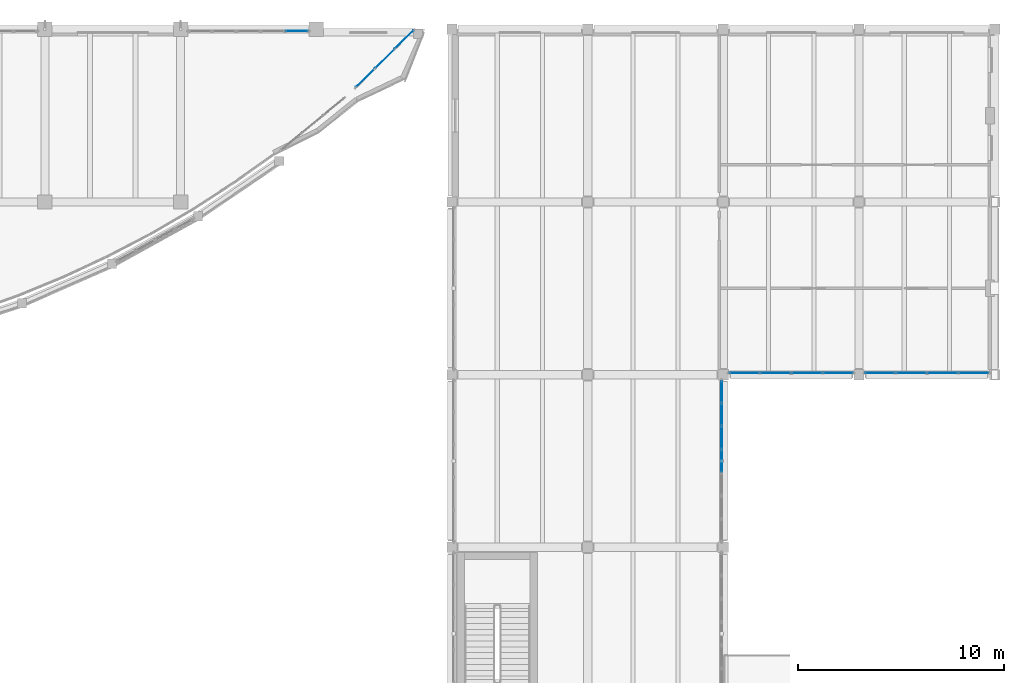
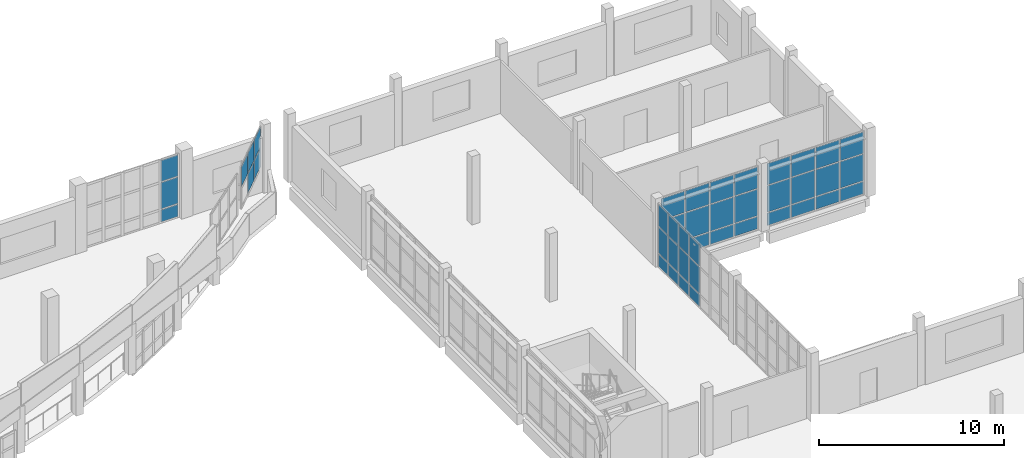
# One storey, part 47 of 83: 44 plates, 5 elements without a shape of their own.
"""IFC4 building model written with IfcOpenShell, lengths in metres."""

from ifc_helpers import new_model, si_unit, direction, frame, origin, origin_2d, place, context, subcontext, project, spatial, rectangle, extrude, material, layer, layer_set, type_object, element, aggregate, save


model = new_model("IFC4")

# Units and contexts
model_context = context("Model", 3, precision=1e-05, world=origin(), true_north=direction((0.0, 1.0)))
body_context = subcontext(model_context, "Body", "Model", "MODEL_VIEW")
ifc_project = project(units=[si_unit("LENGTHUNIT", "METRE"), si_unit("AREAUNIT", "SQUARE_METRE"), si_unit("VOLUMEUNIT", "CUBIC_METRE"), si_unit("PLANEANGLEUNIT", "RADIAN"), si_unit("MASSUNIT", "GRAM", prefix="KILO")], contexts=[model_context])

# Site, building, storey
site_placement = place(None, origin())
site = spatial("IfcSite", under=ifc_project, at=site_placement, CompositionType="ELEMENT")
building_placement = place(site_placement, origin())
building = spatial("IfcBuilding", under=site, at=building_placement, Name="Qaldarim Faculty of Natural and Applied Sciences", CompositionType="ELEMENT")
storey_placement = place(building_placement, frame((0.0, 0.0, 5.39990234375)))
storey = spatial("IfcBuildingStorey", under=building, at=storey_placement, Name="L01", CompositionType="ELEMENT", Elevation=5.39990234375)

# Curtain wall, plates
ifc_material_1 = material(Name="Anodised aluminium AW-6063", Category="aluminium")
curtain_wall_type_1 = type_object("IfcCurtainWallType", Name="CurtainWallSystem-M1200", PredefinedType="USERDEFINED", material=ifc_material_1)
curtain_wall_1_placement = place(storey_placement, origin())
curtain_wall_1 = element("IfcCurtainWall", 1, at=curtain_wall_1_placement, inside=storey, type_object=curtain_wall_type_1, Name="Curtain wall CW-L01-N-X22Y14", ObjectType="STICK CURTAIN WALL", PredefinedType="USERDEFINED")
ifc_material_2 = material(Name="Insulated low-e double glazing", Category="glass")
ifc_layer_1 = layer(ifc_material_2, 0.031982421875)
ifc_layer_set_1 = layer_set([ifc_layer_1], Name="Insulated low-e double glazing")
plate_type_1 = type_object("IfcPlateType", Name="SolarControlGlazingPanel-32", PredefinedType="CURTAIN_PANEL", material=ifc_layer_set_1)
plate_1_placement = place(storey_placement, frame((144.24658203125, 117.52001953125, 0.070068359375), z_axis=(0.0, 0.0, 1.0), x_axis=(-1.0, 0.0, 0.0)))
plate_1 = element("IfcPlate", 2, at=plate_1_placement, type_object=plate_type_1, Name="Glazed panel 1-1 of CW-L01-N-X22Y14", PredefinedType="CURTAIN_PANEL", context=body_context, shape_type="SweptSolid", body=[
    extrude(rectangle(XDim=1.076904296875, YDim=0.031982421875, at=origin_2d()), origin(), (0.0, 0.0, 1.0), 0.794921875),
])
plate_2_placement = place(storey_placement, frame((144.24658203125, 117.52001953125, 0.93505859375), z_axis=(0.0, 0.0, 1.0), x_axis=(-1.0, 0.0, 0.0)))
plate_2 = element("IfcPlate", 3, at=plate_2_placement, type_object=plate_type_1, Name="Glazed panel 1-2 of CW-L01-N-X22Y14", PredefinedType="CURTAIN_PANEL", context=body_context, shape_type="SweptSolid", body=[
    extrude(rectangle(XDim=1.076904296875, YDim=0.031982421875, at=origin_2d()), origin(), (0.0, 0.0, 1.0), 1.72998046875),
])
plate_3_placement = place(storey_placement, frame((144.24658203125, 117.52001953125, 2.735107421875), z_axis=(0.0, 0.0, 1.0), x_axis=(-1.0, 0.0, 0.0)))
plate_3 = element("IfcPlate", 4, at=plate_3_placement, type_object=plate_type_1, Name="Glazed panel 1-3 of CW-L01-N-X22Y14", PredefinedType="CURTAIN_PANEL", context=body_context, shape_type="SweptSolid", body=[
    extrude(rectangle(XDim=1.076904296875, YDim=0.031982421875, at=origin_2d()), origin(), (0.0, 0.0, 1.0), 1.39501953125),
])
aggregate(curtain_wall_1, [plate_1, plate_2, plate_3])

curtain_wall_2_placement = place(storey_placement, origin())
curtain_wall_2 = element("IfcCurtainWall", 5, at=curtain_wall_2_placement, inside=storey, type_object=curtain_wall_type_1, Name="Curtain wall CW-L01-E-X25Y12", ObjectType="STICK CURTAIN WALL", PredefinedType="USERDEFINED")
plate_4_placement = place(storey_placement, frame((164.919921875, 96.60009765625, 0.070068359375), z_axis=(0.0, 0.0, 1.0), x_axis=(0.0, 1.0, 0.0)))
plate_4 = element("IfcPlate", 6, at=plate_4_placement, type_object=plate_type_1, Name="Glazed panel 4-1 of CW-L01-E-X25Y12", PredefinedType="CURTAIN_PANEL", context=body_context, shape_type="SweptSolid", body=[
    extrude(rectangle(XDim=1.06005859375, YDim=0.031982421875, at=origin_2d()), origin(), (0.0, 0.0, 1.0), 0.794921875),
])
plate_5_placement = place(storey_placement, frame((164.919921875, 96.60009765625, 0.93505859375), z_axis=(0.0, 0.0, 1.0), x_axis=(0.0, 1.0, 0.0)))
plate_5 = element("IfcPlate", 7, at=plate_5_placement, type_object=plate_type_1, Name="Glazed panel 4-2 of CW-L01-E-X25Y12", PredefinedType="CURTAIN_PANEL", context=body_context, shape_type="SweptSolid", body=[
    extrude(rectangle(XDim=1.06005859375, YDim=0.031982421875, at=origin_2d()), origin(), (0.0, 0.0, 1.0), 1.72998046875),
])
plate_6_placement = place(storey_placement, frame((164.919921875, 96.60009765625, 2.735107421875), z_axis=(0.0, 0.0, 1.0), x_axis=(0.0, 1.0, 0.0)))
plate_6 = element("IfcPlate", 8, at=plate_6_placement, type_object=plate_type_1, Name="Glazed panel 4-3 of CW-L01-E-X25Y12", PredefinedType="CURTAIN_PANEL", context=body_context, shape_type="SweptSolid", body=[
    extrude(rectangle(XDim=1.06005859375, YDim=0.031982421875, at=origin_2d()), origin(), (0.0, 0.0, 1.0), 1.39501953125),
])
plate_7_placement = place(storey_placement, frame((164.919921875, 97.72998046875, 0.070068359375), z_axis=(0.0, 0.0, 1.0), x_axis=(0.0, 1.0, 0.0)))
plate_7 = element("IfcPlate", 9, at=plate_7_placement, type_object=plate_type_1, Name="Glazed panel 5-1 of CW-L01-E-X25Y12", PredefinedType="CURTAIN_PANEL", context=body_context, shape_type="SweptSolid", body=[
    extrude(rectangle(XDim=1.06005859375, YDim=0.031982421875, at=origin_2d()), origin(), (0.0, 0.0, 1.0), 0.794921875),
])
plate_8_placement = place(storey_placement, frame((164.919921875, 97.72998046875, 0.93505859375), z_axis=(0.0, 0.0, 1.0), x_axis=(0.0, 1.0, 0.0)))
plate_8 = element("IfcPlate", 10, at=plate_8_placement, type_object=plate_type_1, Name="Glazed panel 5-2 of CW-L01-E-X25Y12", PredefinedType="CURTAIN_PANEL", context=body_context, shape_type="SweptSolid", body=[
    extrude(rectangle(XDim=1.06005859375, YDim=0.031982421875, at=origin_2d()), origin(), (0.0, 0.0, 1.0), 1.72998046875),
])
plate_9_placement = place(storey_placement, frame((164.919921875, 97.72998046875, 2.735107421875), z_axis=(0.0, 0.0, 1.0), x_axis=(0.0, 1.0, 0.0)))
plate_9 = element("IfcPlate", 11, at=plate_9_placement, type_object=plate_type_1, Name="Glazed panel 5-3 of CW-L01-E-X25Y12", PredefinedType="CURTAIN_PANEL", context=body_context, shape_type="SweptSolid", body=[
    extrude(rectangle(XDim=1.06005859375, YDim=0.031982421875, at=origin_2d()), origin(), (0.0, 0.0, 1.0), 1.39501953125),
])
plate_10_placement = place(storey_placement, frame((164.919921875, 98.860107421875, 0.070068359375), z_axis=(0.0, 0.0, 1.0), x_axis=(0.0, 1.0, 0.0)))
plate_10 = element("IfcPlate", 12, at=plate_10_placement, type_object=plate_type_1, Name="Glazed panel 6-1 of CW-L01-E-X25Y12", PredefinedType="CURTAIN_PANEL", context=body_context, shape_type="SweptSolid", body=[
    extrude(rectangle(XDim=1.06005859375, YDim=0.031982421875, at=origin_2d()), origin(), (0.0, 0.0, 1.0), 0.794921875),
])
plate_11_placement = place(storey_placement, frame((164.919921875, 98.860107421875, 0.93505859375), z_axis=(0.0, 0.0, 1.0), x_axis=(0.0, 1.0, 0.0)))
plate_11 = element("IfcPlate", 13, at=plate_11_placement, type_object=plate_type_1, Name="Glazed panel 6-2 of CW-L01-E-X25Y12", PredefinedType="CURTAIN_PANEL", context=body_context, shape_type="SweptSolid", body=[
    extrude(rectangle(XDim=1.06005859375, YDim=0.031982421875, at=origin_2d()), origin(), (0.0, 0.0, 1.0), 1.72998046875),
])
plate_12_placement = place(storey_placement, frame((164.919921875, 98.860107421875, 2.735107421875), z_axis=(0.0, 0.0, 1.0), x_axis=(0.0, 1.0, 0.0)))
plate_12 = element("IfcPlate", 14, at=plate_12_placement, type_object=plate_type_1, Name="Glazed panel 6-3 of CW-L01-E-X25Y12", PredefinedType="CURTAIN_PANEL", context=body_context, shape_type="SweptSolid", body=[
    extrude(rectangle(XDim=1.06005859375, YDim=0.031982421875, at=origin_2d()), origin(), (0.0, 0.0, 1.0), 1.39501953125),
])
plate_13_placement = place(storey_placement, frame((164.919921875, 99.972412109375, 0.070068359375), z_axis=(0.0, 0.0, 1.0), x_axis=(0.0, 1.0, 0.0)))
plate_13 = element("IfcPlate", 15, at=plate_13_placement, type_object=plate_type_1, Name="Glazed panel 7-1 of CW-L01-E-X25Y12", PredefinedType="CURTAIN_PANEL", context=body_context, shape_type="SweptSolid", body=[
    extrude(rectangle(XDim=1.02490234375, YDim=0.031982421875, at=origin_2d()), origin(), (0.0, 0.0, 1.0), 0.794921875),
])
plate_14_placement = place(storey_placement, frame((164.919921875, 99.972412109375, 0.93505859375), z_axis=(0.0, 0.0, 1.0), x_axis=(0.0, 1.0, 0.0)))
plate_14 = element("IfcPlate", 16, at=plate_14_placement, type_object=plate_type_1, Name="Glazed panel 7-2 of CW-L01-E-X25Y12", PredefinedType="CURTAIN_PANEL", context=body_context, shape_type="SweptSolid", body=[
    extrude(rectangle(XDim=1.02490234375, YDim=0.031982421875, at=origin_2d()), origin(), (0.0, 0.0, 1.0), 1.72998046875),
])
plate_15_placement = place(storey_placement, frame((164.919921875, 99.972412109375, 2.735107421875), z_axis=(0.0, 0.0, 1.0), x_axis=(0.0, 1.0, 0.0)))
plate_15 = element("IfcPlate", 17, at=plate_15_placement, type_object=plate_type_1, Name="Glazed panel 7-3 of CW-L01-E-X25Y12", PredefinedType="CURTAIN_PANEL", context=body_context, shape_type="SweptSolid", body=[
    extrude(rectangle(XDim=1.02490234375, YDim=0.031982421875, at=origin_2d()), origin(), (0.0, 0.0, 1.0), 1.39501953125),
])
aggregate(curtain_wall_2, [plate_4, plate_5, plate_6, plate_7, plate_8, plate_9, plate_10, plate_11, plate_12, plate_13, plate_14, plate_15])

curtain_wall_type_2 = type_object("IfcCurtainWallType", Name="CurtainWallSystem-M1600", PredefinedType="USERDEFINED", material=ifc_material_1)
curtain_wall_3_placement = place(storey_placement, origin())
curtain_wall_3 = element("IfcCurtainWall", 18, at=curtain_wall_3_placement, inside=storey, type_object=curtain_wall_type_2, Name="Curtain wall CW-L01-S-X26Y13", ObjectType="UNITISED FACADE", PredefinedType="USERDEFINED")
ifc_layer_2 = layer(ifc_material_2, 0.028076171875)
ifc_layer_set_2 = layer_set([ifc_layer_2], Name="Insulated low-e double glazing")
plate_type_2 = type_object("IfcPlateType", Name="VisionGlazingPanel-28", PredefinedType="CURTAIN_PANEL", material=ifc_layer_set_2)
plate_16_placement = place(storey_placement, frame((166.023681640625, 100.8798828125, 0.06005859375), z_axis=(0.0, 0.0, 1.0), x_axis=(1.0, 0.0, 0.0)))
plate_16 = element("IfcPlate", 19, at=plate_16_placement, type_object=plate_type_2, Name="Glazed panel 1-1 of CW-L01-S-X26Y13", PredefinedType="CURTAIN_PANEL", context=body_context, shape_type="SweptSolid", body=[
    extrude(rectangle(XDim=1.4375, YDim=0.028076171875, at=origin_2d()), origin(), (0.0, 0.0, 1.0), 0.81005859375),
])
plate_17_placement = place(storey_placement, frame((166.023681640625, 100.8798828125, 0.93017578125), z_axis=(0.0, 0.0, 1.0), x_axis=(1.0, 0.0, 0.0)))
plate_17 = element("IfcPlate", 20, at=plate_17_placement, type_object=plate_type_2, Name="Glazed panel 1-2 of CW-L01-S-X26Y13", PredefinedType="CURTAIN_PANEL", context=body_context, shape_type="SweptSolid", body=[
    extrude(rectangle(XDim=1.4375, YDim=0.028076171875, at=origin_2d()), origin(), (0.0, 0.0, 1.0), 1.739990234375),
])
plate_18_placement = place(storey_placement, frame((166.023681640625, 100.8798828125, 2.72998046875), z_axis=(0.0, 0.0, 1.0), x_axis=(1.0, 0.0, 0.0)))
plate_18 = element("IfcPlate", 21, at=plate_18_placement, type_object=plate_type_2, Name="Glazed panel 1-3 of CW-L01-S-X26Y13", PredefinedType="CURTAIN_PANEL", context=body_context, shape_type="SweptSolid", body=[
    extrude(rectangle(XDim=1.4375, YDim=0.028076171875, at=origin_2d()), origin(), (0.0, 0.0, 1.0), 1.409912109375),
])
plate_19_placement = place(storey_placement, frame((167.5361328125, 100.8798828125, 0.06005859375), z_axis=(0.0, 0.0, 1.0), x_axis=(1.0, 0.0, 0.0)))
plate_19 = element("IfcPlate", 22, at=plate_19_placement, type_object=plate_type_2, Name="Glazed panel 2-1 of CW-L01-S-X26Y13", PredefinedType="CURTAIN_PANEL", context=body_context, shape_type="SweptSolid", body=[
    extrude(rectangle(XDim=1.467529296875, YDim=0.028076171875, at=origin_2d()), origin(), (0.0, 0.0, 1.0), 0.81005859375),
])
plate_20_placement = place(storey_placement, frame((167.5361328125, 100.8798828125, 0.93017578125), z_axis=(0.0, 0.0, 1.0), x_axis=(1.0, 0.0, 0.0)))
plate_20 = element("IfcPlate", 23, at=plate_20_placement, type_object=plate_type_2, Name="Glazed panel 2-2 of CW-L01-S-X26Y13", PredefinedType="CURTAIN_PANEL", context=body_context, shape_type="SweptSolid", body=[
    extrude(rectangle(XDim=1.467529296875, YDim=0.028076171875, at=origin_2d()), origin(), (0.0, 0.0, 1.0), 1.739990234375),
])
plate_21_placement = place(storey_placement, frame((167.5361328125, 100.8798828125, 2.72998046875), z_axis=(0.0, 0.0, 1.0), x_axis=(1.0, 0.0, 0.0)))
plate_21 = element("IfcPlate", 24, at=plate_21_placement, type_object=plate_type_2, Name="Glazed panel 2-3 of CW-L01-S-X26Y13", PredefinedType="CURTAIN_PANEL", context=body_context, shape_type="SweptSolid", body=[
    extrude(rectangle(XDim=1.467529296875, YDim=0.028076171875, at=origin_2d()), origin(), (0.0, 0.0, 1.0), 1.409912109375),
])
plate_22_placement = place(storey_placement, frame((169.063720703125, 100.8798828125, 0.06005859375), z_axis=(0.0, 0.0, 1.0), x_axis=(1.0, 0.0, 0.0)))
plate_22 = element("IfcPlate", 25, at=plate_22_placement, type_object=plate_type_2, Name="Glazed panel 3-1 of CW-L01-S-X26Y13", PredefinedType="CURTAIN_PANEL", context=body_context, shape_type="SweptSolid", body=[
    extrude(rectangle(XDim=1.467529296875, YDim=0.028076171875, at=origin_2d()), origin(), (0.0, 0.0, 1.0), 0.81005859375),
])
plate_23_placement = place(storey_placement, frame((169.063720703125, 100.8798828125, 0.93017578125), z_axis=(0.0, 0.0, 1.0), x_axis=(1.0, 0.0, 0.0)))
plate_23 = element("IfcPlate", 26, at=plate_23_placement, type_object=plate_type_2, Name="Glazed panel 3-2 of CW-L01-S-X26Y13", PredefinedType="CURTAIN_PANEL", context=body_context, shape_type="SweptSolid", body=[
    extrude(rectangle(XDim=1.467529296875, YDim=0.028076171875, at=origin_2d()), origin(), (0.0, 0.0, 1.0), 1.739990234375),
])
plate_24_placement = place(storey_placement, frame((169.063720703125, 100.8798828125, 2.72998046875), z_axis=(0.0, 0.0, 1.0), x_axis=(1.0, 0.0, 0.0)))
plate_24 = element("IfcPlate", 27, at=plate_24_placement, type_object=plate_type_2, Name="Glazed panel 3-3 of CW-L01-S-X26Y13", PredefinedType="CURTAIN_PANEL", context=body_context, shape_type="SweptSolid", body=[
    extrude(rectangle(XDim=1.467529296875, YDim=0.028076171875, at=origin_2d()), origin(), (0.0, 0.0, 1.0), 1.409912109375),
])
plate_25_placement = place(storey_placement, frame((170.576171875, 100.8798828125, 0.06005859375), z_axis=(0.0, 0.0, 1.0), x_axis=(1.0, 0.0, 0.0)))
plate_25 = element("IfcPlate", 28, at=plate_25_placement, type_object=plate_type_2, Name="Glazed panel 4-1 of CW-L01-S-X26Y13", PredefinedType="CURTAIN_PANEL", context=body_context, shape_type="SweptSolid", body=[
    extrude(rectangle(XDim=1.4375, YDim=0.028076171875, at=origin_2d()), origin(), (0.0, 0.0, 1.0), 0.81005859375),
])
plate_26_placement = place(storey_placement, frame((170.576171875, 100.8798828125, 0.93017578125), z_axis=(0.0, 0.0, 1.0), x_axis=(1.0, 0.0, 0.0)))
plate_26 = element("IfcPlate", 29, at=plate_26_placement, type_object=plate_type_2, Name="Glazed panel 4-2 of CW-L01-S-X26Y13", PredefinedType="CURTAIN_PANEL", context=body_context, shape_type="SweptSolid", body=[
    extrude(rectangle(XDim=1.4375, YDim=0.028076171875, at=origin_2d()), origin(), (0.0, 0.0, 1.0), 1.739990234375),
])
plate_27_placement = place(storey_placement, frame((170.576171875, 100.8798828125, 2.72998046875), z_axis=(0.0, 0.0, 1.0), x_axis=(1.0, 0.0, 0.0)))
plate_27 = element("IfcPlate", 30, at=plate_27_placement, type_object=plate_type_2, Name="Glazed panel 4-3 of CW-L01-S-X26Y13", PredefinedType="CURTAIN_PANEL", context=body_context, shape_type="SweptSolid", body=[
    extrude(rectangle(XDim=1.4375, YDim=0.028076171875, at=origin_2d()), origin(), (0.0, 0.0, 1.0), 1.409912109375),
])
aggregate(curtain_wall_3, [plate_16, plate_17, plate_18, plate_19, plate_20, plate_21, plate_22, plate_23, plate_24, plate_25, plate_26, plate_27])

curtain_wall_4_placement = place(storey_placement, origin())
curtain_wall_4 = element("IfcCurtainWall", 31, at=curtain_wall_4_placement, inside=storey, type_object=curtain_wall_type_2, Name="Curtain wall CW-L01-S-X27Y13", ObjectType="UNITISED FACADE", PredefinedType="USERDEFINED")
plate_28_placement = place(storey_placement, frame((172.623779296875, 100.8798828125, 0.06005859375), z_axis=(0.0, 0.0, 1.0), x_axis=(1.0, 0.0, 0.0)))
plate_28 = element("IfcPlate", 32, at=plate_28_placement, type_object=plate_type_2, Name="Glazed panel 1-1 of CW-L01-S-X27Y13", PredefinedType="CURTAIN_PANEL", context=body_context, shape_type="SweptSolid", body=[
    extrude(rectangle(XDim=1.4375, YDim=0.028076171875, at=origin_2d()), origin(), (0.0, 0.0, 1.0), 0.81005859375),
])
plate_29_placement = place(storey_placement, frame((172.623779296875, 100.8798828125, 0.93017578125), z_axis=(0.0, 0.0, 1.0), x_axis=(1.0, 0.0, 0.0)))
plate_29 = element("IfcPlate", 33, at=plate_29_placement, type_object=plate_type_2, Name="Glazed panel 1-2 of CW-L01-S-X27Y13", PredefinedType="CURTAIN_PANEL", context=body_context, shape_type="SweptSolid", body=[
    extrude(rectangle(XDim=1.4375, YDim=0.028076171875, at=origin_2d()), origin(), (0.0, 0.0, 1.0), 1.739990234375),
])
plate_30_placement = place(storey_placement, frame((172.623779296875, 100.8798828125, 2.72998046875), z_axis=(0.0, 0.0, 1.0), x_axis=(1.0, 0.0, 0.0)))
plate_30 = element("IfcPlate", 34, at=plate_30_placement, type_object=plate_type_2, Name="Glazed panel 1-3 of CW-L01-S-X27Y13", PredefinedType="CURTAIN_PANEL", context=body_context, shape_type="SweptSolid", body=[
    extrude(rectangle(XDim=1.4375, YDim=0.028076171875, at=origin_2d()), origin(), (0.0, 0.0, 1.0), 1.409912109375),
])
plate_31_placement = place(storey_placement, frame((174.13623046875, 100.8798828125, 0.06005859375), z_axis=(0.0, 0.0, 1.0), x_axis=(1.0, 0.0, 0.0)))
plate_31 = element("IfcPlate", 35, at=plate_31_placement, type_object=plate_type_2, Name="Glazed panel 2-1 of CW-L01-S-X27Y13", PredefinedType="CURTAIN_PANEL", context=body_context, shape_type="SweptSolid", body=[
    extrude(rectangle(XDim=1.467529296875, YDim=0.028076171875, at=origin_2d()), origin(), (0.0, 0.0, 1.0), 0.81005859375),
])
plate_32_placement = place(storey_placement, frame((174.13623046875, 100.8798828125, 0.93017578125), z_axis=(0.0, 0.0, 1.0), x_axis=(1.0, 0.0, 0.0)))
plate_32 = element("IfcPlate", 36, at=plate_32_placement, type_object=plate_type_2, Name="Glazed panel 2-2 of CW-L01-S-X27Y13", PredefinedType="CURTAIN_PANEL", context=body_context, shape_type="SweptSolid", body=[
    extrude(rectangle(XDim=1.467529296875, YDim=0.028076171875, at=origin_2d()), origin(), (0.0, 0.0, 1.0), 1.739990234375),
])
plate_33_placement = place(storey_placement, frame((174.13623046875, 100.8798828125, 2.72998046875), z_axis=(0.0, 0.0, 1.0), x_axis=(1.0, 0.0, 0.0)))
plate_33 = element("IfcPlate", 37, at=plate_33_placement, type_object=plate_type_2, Name="Glazed panel 2-3 of CW-L01-S-X27Y13", PredefinedType="CURTAIN_PANEL", context=body_context, shape_type="SweptSolid", body=[
    extrude(rectangle(XDim=1.467529296875, YDim=0.028076171875, at=origin_2d()), origin(), (0.0, 0.0, 1.0), 1.409912109375),
])
plate_34_placement = place(storey_placement, frame((175.663818359375, 100.8798828125, 0.06005859375), z_axis=(0.0, 0.0, 1.0), x_axis=(1.0, 0.0, 0.0)))
plate_34 = element("IfcPlate", 38, at=plate_34_placement, type_object=plate_type_2, Name="Glazed panel 3-1 of CW-L01-S-X27Y13", PredefinedType="CURTAIN_PANEL", context=body_context, shape_type="SweptSolid", body=[
    extrude(rectangle(XDim=1.467529296875, YDim=0.028076171875, at=origin_2d()), origin(), (0.0, 0.0, 1.0), 0.81005859375),
])
plate_35_placement = place(storey_placement, frame((175.663818359375, 100.8798828125, 0.93017578125), z_axis=(0.0, 0.0, 1.0), x_axis=(1.0, 0.0, 0.0)))
plate_35 = element("IfcPlate", 39, at=plate_35_placement, type_object=plate_type_2, Name="Glazed panel 3-2 of CW-L01-S-X27Y13", PredefinedType="CURTAIN_PANEL", context=body_context, shape_type="SweptSolid", body=[
    extrude(rectangle(XDim=1.467529296875, YDim=0.028076171875, at=origin_2d()), origin(), (0.0, 0.0, 1.0), 1.739990234375),
])
plate_36_placement = place(storey_placement, frame((175.663818359375, 100.8798828125, 2.72998046875), z_axis=(0.0, 0.0, 1.0), x_axis=(1.0, 0.0, 0.0)))
plate_36 = element("IfcPlate", 40, at=plate_36_placement, type_object=plate_type_2, Name="Glazed panel 3-3 of CW-L01-S-X27Y13", PredefinedType="CURTAIN_PANEL", context=body_context, shape_type="SweptSolid", body=[
    extrude(rectangle(XDim=1.467529296875, YDim=0.028076171875, at=origin_2d()), origin(), (0.0, 0.0, 1.0), 1.409912109375),
])
plate_37_placement = place(storey_placement, frame((177.17626953125, 100.8798828125, 0.06005859375), z_axis=(0.0, 0.0, 1.0), x_axis=(1.0, 0.0, 0.0)))
plate_37 = element("IfcPlate", 41, at=plate_37_placement, type_object=plate_type_2, Name="Glazed panel 4-1 of CW-L01-S-X27Y13", PredefinedType="CURTAIN_PANEL", context=body_context, shape_type="SweptSolid", body=[
    extrude(rectangle(XDim=1.4375, YDim=0.028076171875, at=origin_2d()), origin(), (0.0, 0.0, 1.0), 0.81005859375),
])
plate_38_placement = place(storey_placement, frame((177.17626953125, 100.8798828125, 0.93017578125), z_axis=(0.0, 0.0, 1.0), x_axis=(1.0, 0.0, 0.0)))
plate_38 = element("IfcPlate", 42, at=plate_38_placement, type_object=plate_type_2, Name="Glazed panel 4-2 of CW-L01-S-X27Y13", PredefinedType="CURTAIN_PANEL", context=body_context, shape_type="SweptSolid", body=[
    extrude(rectangle(XDim=1.4375, YDim=0.028076171875, at=origin_2d()), origin(), (0.0, 0.0, 1.0), 1.739990234375),
])
plate_39_placement = place(storey_placement, frame((177.17626953125, 100.8798828125, 2.72998046875), z_axis=(0.0, 0.0, 1.0), x_axis=(1.0, 0.0, 0.0)))
plate_39 = element("IfcPlate", 43, at=plate_39_placement, type_object=plate_type_2, Name="Glazed panel 4-3 of CW-L01-S-X27Y13", PredefinedType="CURTAIN_PANEL", context=body_context, shape_type="SweptSolid", body=[
    extrude(rectangle(XDim=1.4375, YDim=0.028076171875, at=origin_2d()), origin(), (0.0, 0.0, 1.0), 1.409912109375),
])
aggregate(curtain_wall_4, [plate_28, plate_29, plate_30, plate_31, plate_32, plate_33, plate_34, plate_35, plate_36, plate_37, plate_38, plate_39])

curtain_wall_type_3 = type_object("IfcCurtainWallType", Name="CurtainWallSystem-M1400", PredefinedType="USERDEFINED", material=ifc_material_1)
curtain_wall_5_placement = place(storey_placement, origin())
curtain_wall_5 = element("IfcCurtainWall", 44, at=curtain_wall_5_placement, inside=storey, type_object=curtain_wall_type_3, Name="Curtain wall CW-V4ARC-L01-16", ObjectType="STICK CURTAIN WALL", PredefinedType="USERDEFINED")
plate_40_placement = place(storey_placement, frame((147.584716796875, 115.2255859375, 2.830078125), z_axis=(0.0, 0.0, 1.0), x_axis=(0.710185375623, 0.704014724456, 0.0)))
plate_40 = element("IfcPlate", 45, at=plate_40_placement, type_object=plate_type_2, Name="Glazed panel 1-2 of CW-V4ARC-L01-16", PredefinedType="CURTAIN_PANEL", context=body_context, shape_type="SweptSolid", body=[
    extrude(rectangle(XDim=1.259521484375, YDim=0.028076171875, at=origin_2d()), origin(), (0.0, 0.0, 1.0), 1.31005859375),
])
plate_41_placement = place(storey_placement, frame((148.532470703125, 116.1650390625, 1.51025390625), z_axis=(0.0, 0.0, 1.0), x_axis=(0.710185375623, 0.704014724456, 0.0)))
plate_41 = element("IfcPlate", 46, at=plate_41_placement, type_object=plate_type_2, Name="Glazed panel 2-1 of CW-V4ARC-L01-16", PredefinedType="CURTAIN_PANEL", context=body_context, shape_type="SweptSolid", body=[
    extrude(rectangle(XDim=1.289306640625, YDim=0.028076171875, at=origin_2d()), origin(), (0.0, 0.0, 1.0), 1.260009765625),
])
plate_42_placement = place(storey_placement, frame((148.532470703125, 116.1650390625, 2.830078125), z_axis=(0.0, 0.0, 1.0), x_axis=(0.710185375623, 0.704014724456, 0.0)))
plate_42 = element("IfcPlate", 47, at=plate_42_placement, type_object=plate_type_2, Name="Glazed panel 2-2 of CW-V4ARC-L01-16", PredefinedType="CURTAIN_PANEL", context=body_context, shape_type="SweptSolid", body=[
    extrude(rectangle(XDim=1.289306640625, YDim=0.028076171875, at=origin_2d()), origin(), (0.0, 0.0, 1.0), 1.31005859375),
])
plate_43_placement = place(storey_placement, frame((149.480224609375, 117.1044921875, 1.51025390625), z_axis=(0.0, 0.0, 1.0), x_axis=(0.710185375623, 0.704014724456, 0.0)))
plate_43 = element("IfcPlate", 48, at=plate_43_placement, type_object=plate_type_2, Name="Glazed panel 3-1 of CW-V4ARC-L01-16", PredefinedType="CURTAIN_PANEL", context=body_context, shape_type="SweptSolid", body=[
    extrude(rectangle(XDim=1.259521484375, YDim=0.028076171875, at=origin_2d()), origin(), (0.0, 0.0, 1.0), 1.260009765625),
])
plate_44_placement = place(storey_placement, frame((149.480224609375, 117.1044921875, 2.830078125), z_axis=(0.0, 0.0, 1.0), x_axis=(0.710185375623, 0.704014724456, 0.0)))
plate_44 = element("IfcPlate", 49, at=plate_44_placement, type_object=plate_type_2, Name="Glazed panel 3-2 of CW-V4ARC-L01-16", PredefinedType="CURTAIN_PANEL", context=body_context, shape_type="SweptSolid", body=[
    extrude(rectangle(XDim=1.259521484375, YDim=0.028076171875, at=origin_2d()), origin(), (0.0, 0.0, 1.0), 1.31005859375),
])
aggregate(curtain_wall_5, [plate_40, plate_41, plate_42, plate_43, plate_44])

save(model, "model.ifc")
